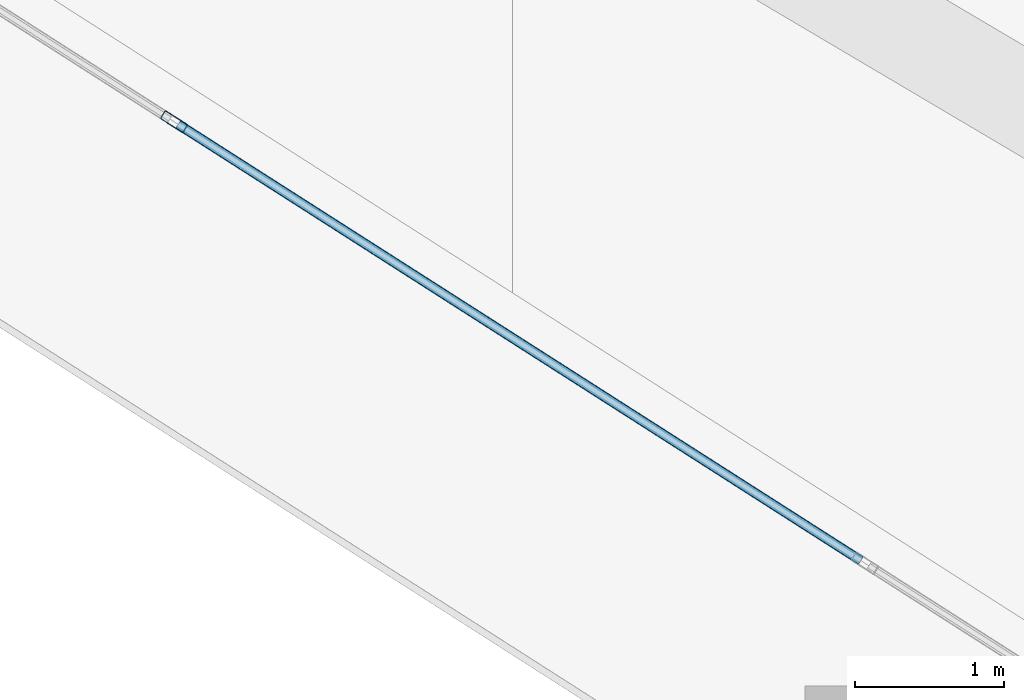
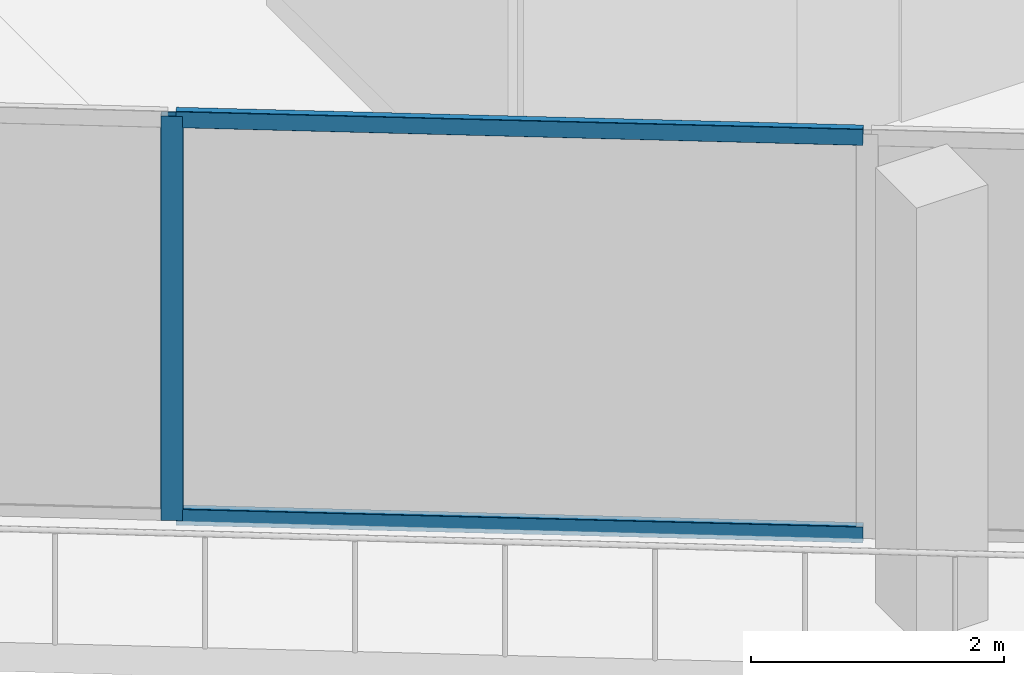
# One storey, part 5 of 45: 3 members, 1 element without a shape of its own.
"""IFC4 building model written with IfcOpenShell, lengths in metres."""

from ifc_helpers import new_model, si_unit, direction, frame, origin, origin_2d, place, context, subcontext, project, spatial, hollow_rectangle, extrude, material, layer, layer_set, material_profile, profile_set, type_object, element, aggregate, save


model = new_model("IFC4")

# Units and contexts
model_context = context("Model", 3, precision=1e-05, world=origin(), true_north=direction((0.0, 1.0)))
body_context = subcontext(model_context, "Body", "Model", "MODEL_VIEW")
ifc_project = project(units=[si_unit("LENGTHUNIT", "METRE"), si_unit("AREAUNIT", "SQUARE_METRE"), si_unit("VOLUMEUNIT", "CUBIC_METRE"), si_unit("PLANEANGLEUNIT", "RADIAN"), si_unit("MASSUNIT", "GRAM", prefix="KILO")], contexts=[model_context])

# Site, building, storey
site_placement = place(None, origin())
site = spatial("IfcSite", under=ifc_project, at=site_placement, CompositionType="ELEMENT")
building_placement = place(site_placement, origin())
building = spatial("IfcBuilding", under=site, at=building_placement, Name="Qorvath Tower", CompositionType="ELEMENT")
storey_placement = place(building_placement, frame((0.0, 0.0, 95.39990234375)))
storey = spatial("IfcBuildingStorey", under=building, at=storey_placement, Name="L21", CompositionType="ELEMENT", Elevation=95.39990234375)

# Curtain wall, members
ifc_material_1 = material(Name="Anodised aluminium and triple low-E glass", Category="aluminium")
ifc_layer = layer(ifc_material_1, 0.179931640625)
ifc_layer_set = layer_set([ifc_layer], Name="CW-SYS-2")
curtain_wall_type = type_object("IfcCurtainWallType", Name="CW-SYS-2", PredefinedType="NOTDEFINED", material=ifc_layer_set)
curtain_wall_placement = place(storey_placement, origin())
curtain_wall = element("IfcCurtainWall", 1, at=curtain_wall_placement, inside=storey, type_object=curtain_wall_type, Name="Curtain Wall CW-2 CW-T-L21-2.1", PredefinedType="NOTDEFINED")
ifc_material_2 = material(Name="Anodised aluminium 6063-T6", Category="aluminium")
ifc_material_profile_1 = material_profile(ifc_material_2, hollow_rectangle(XDim=0.06494140625, YDim=0.179931640625, WallThickness=0.00341796875, InnerFilletRadius=0.00341796875, OuterFilletRadius=0.007080078125, at=origin_2d()), Name="CWM 180x65")
ifc_profile_set_1 = profile_set([ifc_material_profile_1], Name="Anodised aluminium 6063-T6")
member_type_1 = type_object("IfcMemberType", Name="CWM-180", PredefinedType="MULLION", material=ifc_profile_set_1)
member_1_placement = place(storey_placement, frame((-44.89013671875, -12.843505859375, 0.0), z_axis=(0.0, 0.0, 1.0), x_axis=(0.53852928912, 0.842606791309, 0.0)))
member_1 = element("IfcMember", 2, at=member_1_placement, type_object=member_type_1, Name="CW-2 mullion 4", PredefinedType="MULLION", context=body_context, shape_type="SweptSolid", body=[
    extrude(hollow_rectangle(XDim=0.06494140625, YDim=0.179931640625, WallThickness=0.00341796875, InnerFilletRadius=0.00341796875, OuterFilletRadius=0.007080078125, at=origin_2d()), origin(), (0.0, 0.0, 1.0), 3.900146484375),
])
ifc_material_3 = material(Name="Anodised aluminium 6063-T6", Category="aluminium")
ifc_material_profile_2 = material_profile(ifc_material_3, hollow_rectangle(XDim=0.06494140625, YDim=0.159912109375, WallThickness=0.00341796875, InnerFilletRadius=0.00341796875, OuterFilletRadius=0.007080078125, at=origin_2d()), Name="CWT 160x65")
ifc_profile_set_2 = profile_set([ifc_material_profile_2], Name="Anodised aluminium 6063-T6")
member_type_2 = type_object("IfcMemberType", Name="CWT-160", PredefinedType="USERDEFINED", material=ifc_profile_set_2)
member_2_placement = place(storey_placement, frame((-44.86279296875, -12.861083984375, 0.032470703125), z_axis=(0.842620391035, -0.538508009794, 0.0), x_axis=(0.538508009794, 0.842620391035, 0.0)))
member_2 = element("IfcMember", 3, at=member_2_placement, type_object=member_type_2, Name="CW-2 transom 4.1", ObjectType="TRANSOM", PredefinedType="USERDEFINED", context=body_context, shape_type="SweptSolid", body=[
    extrude(hollow_rectangle(XDim=0.06494140625, YDim=0.159912109375, WallThickness=0.00341796875, InnerFilletRadius=0.00341796875, OuterFilletRadius=0.007080078125, at=origin_2d()), origin(), (0.0, 0.0, 1.0), 5.43505859375),
])
member_3_placement = place(storey_placement, frame((-44.86279296875, -12.861083984375, 3.86767578125), z_axis=(0.842620391035, -0.538508009794, 0.0), x_axis=(0.538508009794, 0.842620391035, 0.0)))
member_3 = element("IfcMember", 4, at=member_3_placement, type_object=member_type_2, Name="CW-2 transom 4.2", ObjectType="TRANSOM", PredefinedType="USERDEFINED", context=body_context, shape_type="SweptSolid", body=[
    extrude(hollow_rectangle(XDim=0.06494140625, YDim=0.159912109375, WallThickness=0.00341796875, InnerFilletRadius=0.00341796875, OuterFilletRadius=0.007080078125, at=origin_2d()), origin(), (0.0, 0.0, 1.0), 5.43505859375),
])
aggregate(curtain_wall, [member_1, member_2, member_3])

save(model, "model.ifc")
